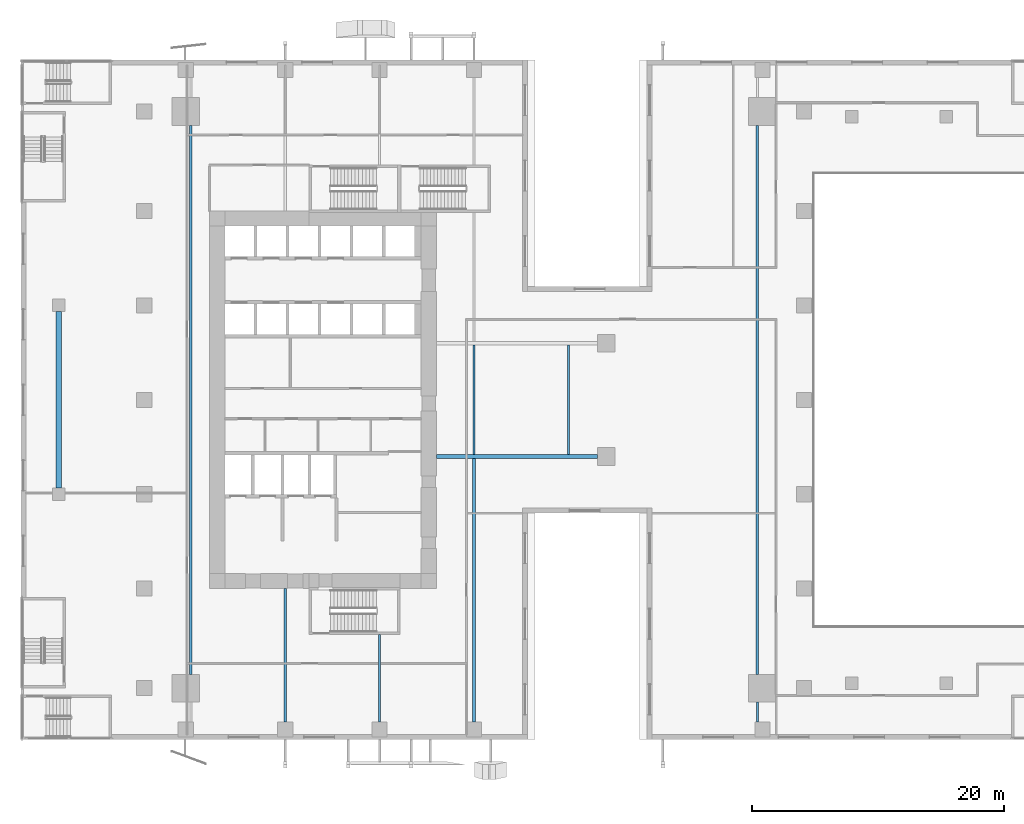
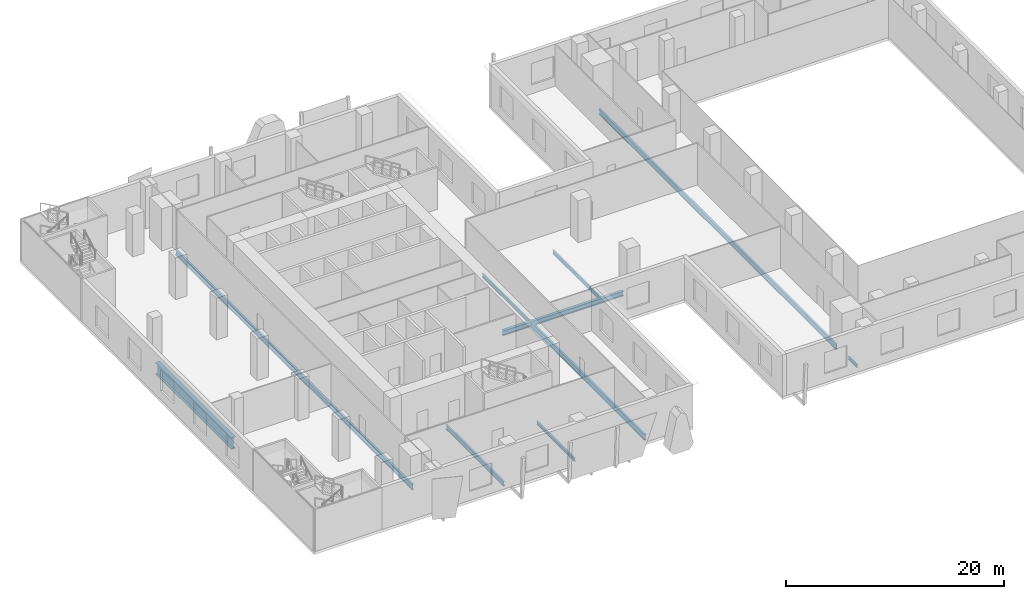
# One storey, part 3 of 22: 10 beams.
"""IFC4 building model written with IfcOpenShell, lengths in metres."""

from ifc_helpers import new_model, si_unit, direction, frame, origin, origin_2d, place, context, subcontext, project, spatial, i_section, extrude, source, transform, mapped, material, material_profile, profile_set, type_object, element, save


model = new_model("IFC4")

# Units and contexts
model_context = context("Model", 3, precision=1e-05, world=origin(), true_north=direction((0.0, 1.0)))
body_context = subcontext(model_context, "Body", "Model", "MODEL_VIEW")
ifc_project = project(units=[si_unit("LENGTHUNIT", "METRE"), si_unit("AREAUNIT", "SQUARE_METRE"), si_unit("VOLUMEUNIT", "CUBIC_METRE"), si_unit("PLANEANGLEUNIT", "RADIAN"), si_unit("MASSUNIT", "GRAM", prefix="KILO")], contexts=[model_context])

# Site, building, storey
site_placement = place(None, origin())
site = spatial("IfcSite", under=ifc_project, at=site_placement, CompositionType="ELEMENT")
building_placement = place(site_placement, origin())
building = spatial("IfcBuilding", under=site, at=building_placement, Name="Khomas Fold Tower", CompositionType="ELEMENT")
storey_placement = place(building_placement, frame((0.0, 0.0, 23.5)))
storey = spatial("IfcBuildingStorey", under=building, at=storey_placement, Name="L04", CompositionType="ELEMENT", Elevation=23.5)

# Beams
ifc_material_1 = material(Name="Steel S355", Category="steel")
ifc_material_profile_1 = material_profile(ifc_material_1, i_section(OverallWidth=0.300048828125, OverallDepth=0.550048828125, WebThickness=0.014892578125, FlangeThickness=0.029052734375, at=origin_2d()), Name="HE 550 B")
ifc_profile_set_1 = profile_set([ifc_material_profile_1], Name="Steel S355")
beam_type_1 = type_object("IfcBeamType", Name="HE 550 B beam GB4", PredefinedType="BEAM", material=ifc_profile_set_1)
shared_shape_1 = source(origin(), body_context, "Body", "SweptSolid", [
    extrude(i_section(OverallWidth=0.300048828125, OverallDepth=0.550048828125, WebThickness=0.014892578125, FlangeThickness=0.029052734375, at=origin_2d()), origin(), (0.0, 0.0, 1.0), 12.800048828125),
])
beam_1_placement = place(storey_placement, frame((24.0, 22.5, -0.574951171875), z_axis=(1.0, 0.0, 0.0), x_axis=(0.0, 1.0, 0.0)))
element("IfcBeam", 1, at=beam_1_placement, inside=storey, type_object=beam_type_1, Name="GB4", PredefinedType="BEAM", context=body_context, shape_type="MappedRepresentation", body=[
    mapped(shared_shape_1, transform((0.0, 0.0, 0.0))),
])
ifc_material_2 = material(Name="Steel S355", Category="steel")
ifc_material_profile_2 = material_profile(ifc_material_2, i_section(OverallWidth=0.159912109375, OverallDepth=0.330078125, WebThickness=0.007568359375, FlangeThickness=0.011474609375, at=origin_2d()), Name="IPE 330")
ifc_profile_set_2 = profile_set([ifc_material_profile_2], Name="Steel S355")
beam_type_2 = type_object("IfcBeamType", Name="IPE 330 beam JB1", PredefinedType="BEAM", material=ifc_profile_set_2)
shared_shape_2 = source(origin(), body_context, "Body", "SweptSolid", [
    extrude(i_section(OverallWidth=0.159912109375, OverallDepth=0.330078125, WebThickness=0.007568359375, FlangeThickness=0.011474609375, at=origin_2d()), origin(), (0.0, 0.0, 1.0), 1.60009765625),
])
beam_2_placement = place(storey_placement, frame((49.5, 1.39990234375, -0.465087890625), z_axis=(0.0, 1.0, 0.0), x_axis=(-1.0, 0.0, 0.0)))
element("IfcBeam", 2, at=beam_2_placement, inside=storey, type_object=beam_type_2, Name="JB1", PredefinedType="BEAM", context=body_context, shape_type="MappedRepresentation", body=[
    mapped(shared_shape_2, transform((0.0, 0.0, 0.0))),
])
ifc_material_3 = material(Name="Steel S355", Category="steel")
ifc_material_profile_3 = material_profile(ifc_material_3, i_section(OverallWidth=0.219970703125, OverallDepth=0.60009765625, WebThickness=0.011962890625, FlangeThickness=0.01904296875, at=origin_2d()), Name="IPE 600")
ifc_profile_set_3 = profile_set([ifc_material_profile_3], Name="Steel S355")
beam_type_3 = type_object("IfcBeamType", Name="IPE 600 beam JB7", PredefinedType="BEAM", material=ifc_profile_set_3)
shared_shape_3 = source(origin(), body_context, "Body", "SweptSolid", [
    extrude(i_section(OverallWidth=0.219970703125, OverallDepth=0.60009765625, WebThickness=0.011962890625, FlangeThickness=0.01904296875, at=origin_2d()), origin(), (0.0, 0.0, 1.0), 43.60009765625),
])
for number, where, z_axis, x_axis, name in (
    (3, (4.5, 5.199951171875, -0.60009765625), (0.0, 1.0, 0.0), (-1.0, 0.0, 0.0), "JB7"),
    (4, (49.5, 5.199951171875, -0.60009765625), (0.0, 1.0, 0.0), (-1.0, 0.0, 0.0), "JB7"),
):
    element("IfcBeam", number, at=place(storey_placement, frame(where, z_axis=z_axis, x_axis=x_axis)), inside=storey, type_object=beam_type_3, Name=name, PredefinedType="BEAM", context=body_context, shape_type="MappedRepresentation", body=[
        mapped(shared_shape_3, transform((0.0, 0.0, 0.0))),
    ])
ifc_material_4 = material(Name="Steel S355", Category="steel")
ifc_material_profile_4 = material_profile(ifc_material_4, i_section(OverallWidth=0.199951171875, OverallDepth=0.5, WebThickness=0.01025390625, FlangeThickness=0.01611328125, at=origin_2d()), Name="IPE 500")
ifc_profile_set_4 = profile_set([ifc_material_profile_4], Name="Steel S355")
beam_type_4 = type_object("IfcBeamType", Name="IPE 500 beam JB5", PredefinedType="BEAM", material=ifc_profile_set_4)
shared_shape_4 = source(origin(), body_context, "Body", "SweptSolid", [
    extrude(i_section(OverallWidth=0.199951171875, OverallDepth=0.5, WebThickness=0.01025390625, FlangeThickness=0.01611328125, at=origin_2d()), origin(), (0.0, 0.0, 1.0), 10.60009765625),
])
beam_3_placement = place(storey_placement, frame((12.0, 1.39990234375, -0.550048828125), z_axis=(0.0, 1.0, 0.0), x_axis=(-1.0, 0.0, 0.0)))
element("IfcBeam", 5, at=beam_3_placement, inside=storey, type_object=beam_type_4, Name="JB5", PredefinedType="BEAM", context=body_context, shape_type="MappedRepresentation", body=[
    mapped(shared_shape_4, transform((0.0, 0.0, 0.0))),
])
ifc_material_5 = material(Name="Steel S355", Category="steel")
ifc_material_profile_5 = material_profile(ifc_material_5, i_section(OverallWidth=0.169921875, OverallDepth=0.360107421875, WebThickness=0.008056640625, FlangeThickness=0.0126953125, at=origin_2d()), Name="IPE 360")
ifc_profile_set_5 = profile_set([ifc_material_profile_5], Name="Steel S355")
beam_type_5 = type_object("IfcBeamType", Name="IPE 360 beam JB2", PredefinedType="BEAM", material=ifc_profile_set_5)
shared_shape_5 = source(origin(), body_context, "Body", "SweptSolid", [
    extrude(i_section(OverallWidth=0.169921875, OverallDepth=0.360107421875, WebThickness=0.008056640625, FlangeThickness=0.0126953125, at=origin_2d()), origin(), (0.0, 0.0, 1.0), 6.9501953125),
])
beam_4_placement = place(storey_placement, frame((19.5, 1.39990234375, -0.47998046875), z_axis=(0.0, 1.0, 0.0), x_axis=(-1.0, 0.0, 0.0)))
element("IfcBeam", 6, at=beam_4_placement, inside=storey, type_object=beam_type_5, Name="JB2", PredefinedType="BEAM", context=body_context, shape_type="MappedRepresentation", body=[
    mapped(shared_shape_5, transform((0.0, 0.0, 0.0))),
])
shared_shape_6 = source(origin(), body_context, "Body", "SweptSolid", [
    extrude(i_section(OverallWidth=0.219970703125, OverallDepth=0.60009765625, WebThickness=0.011962890625, FlangeThickness=0.01904296875, at=origin_2d()), origin(), (0.0, 0.0, 1.0), 20.9501953125),
])
beam_5_placement = place(storey_placement, frame((27.0, 1.39990234375, -0.60009765625), z_axis=(0.0, 1.0, 0.0), x_axis=(-1.0, 0.0, 0.0)))
element("IfcBeam", 7, at=beam_5_placement, inside=storey, type_object=beam_type_3, Name="JB7", PredefinedType="BEAM", context=body_context, shape_type="MappedRepresentation", body=[
    mapped(shared_shape_6, transform((0.0, 0.0, 0.0))),
])
ifc_material_6 = material(Name="Steel S355", Category="steel")
ifc_material_profile_6 = material_profile(ifc_material_6, i_section(OverallWidth=0.179931640625, OverallDepth=0.39990234375, WebThickness=0.008544921875, FlangeThickness=0.013427734375, at=origin_2d()), Name="IPE 400")
ifc_profile_set_6 = profile_set([ifc_material_profile_6], Name="Steel S355")
beam_type_6 = type_object("IfcBeamType", Name="IPE 400 beam JB3", PredefinedType="BEAM", material=ifc_profile_set_6)
shared_shape_7 = source(origin(), body_context, "Body", "SweptSolid", [
    extrude(i_section(OverallWidth=0.179931640625, OverallDepth=0.39990234375, WebThickness=0.008544921875, FlangeThickness=0.013427734375, at=origin_2d()), origin(), (0.0, 0.0, 1.0), 8.7001953125),
])
for number, where, z_axis, x_axis, name in (
    (8, (27.0, 22.64990234375, -0.5), (0.0, 1.0, 0.0), (-1.0, 0.0, 0.0), "JB3"),
    (9, (34.5, 22.64990234375, -0.5), (0.0, 1.0, 0.0), (-1.0, 0.0, 0.0), "JB3"),
):
    element("IfcBeam", number, at=place(storey_placement, frame(where, z_axis=z_axis, x_axis=x_axis)), inside=storey, type_object=beam_type_6, Name=name, PredefinedType="BEAM", context=body_context, shape_type="MappedRepresentation", body=[
        mapped(shared_shape_7, transform((0.0, 0.0, 0.0))),
    ])
ifc_material_7 = material(Name="Steel S460M", Category="steel")
ifc_material_profile_7 = material_profile(ifc_material_7, i_section(OverallWidth=0.449951171875, OverallDepth=1.300048828125, WebThickness=0.02490234375, FlangeThickness=0.050048828125, at=origin_2d()), Name="PG 1300x450")
ifc_profile_set_7 = profile_set([ifc_material_profile_7], Name="Steel S460M")
beam_type_7 = type_object("IfcBeamType", Name="PG 1300x450 beam TG2", PredefinedType="BEAM", material=ifc_profile_set_7)
shared_shape_8 = source(origin(), body_context, "Body", "SweptSolid", [
    extrude(i_section(OverallWidth=0.449951171875, OverallDepth=1.300048828125, WebThickness=0.02490234375, FlangeThickness=0.050048828125, at=origin_2d()), origin(), (0.0, 0.0, 1.0), 14.0),
])
beam_6_placement = place(storey_placement, frame((-6.0, 20.0, -0.949951171875), z_axis=(0.0, 1.0, 0.0), x_axis=(-1.0, 0.0, 0.0)))
element("IfcBeam", 10, at=beam_6_placement, inside=storey, type_object=beam_type_7, Name="TG2", PredefinedType="BEAM", context=body_context, shape_type="MappedRepresentation", body=[
    mapped(shared_shape_8, transform((0.0, 0.0, 0.0))),
])

save(model, "model.ifc")
